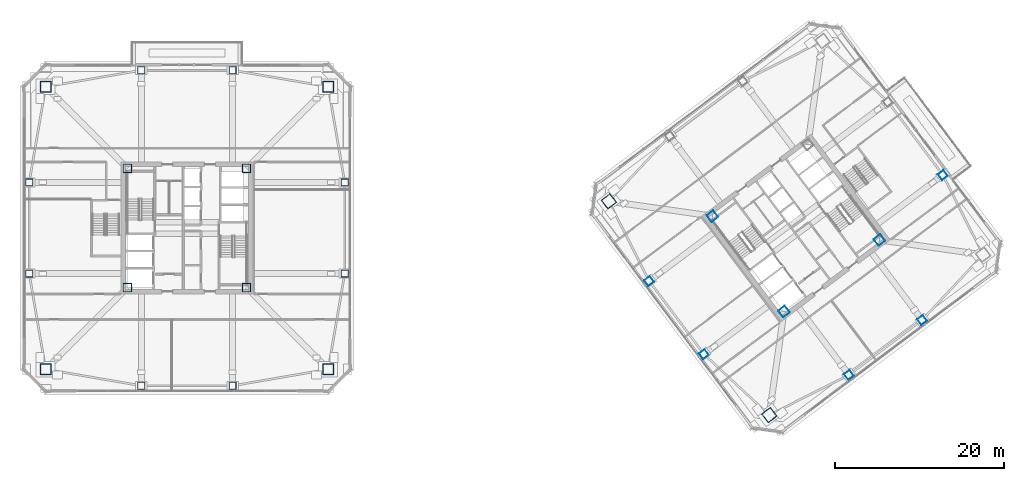
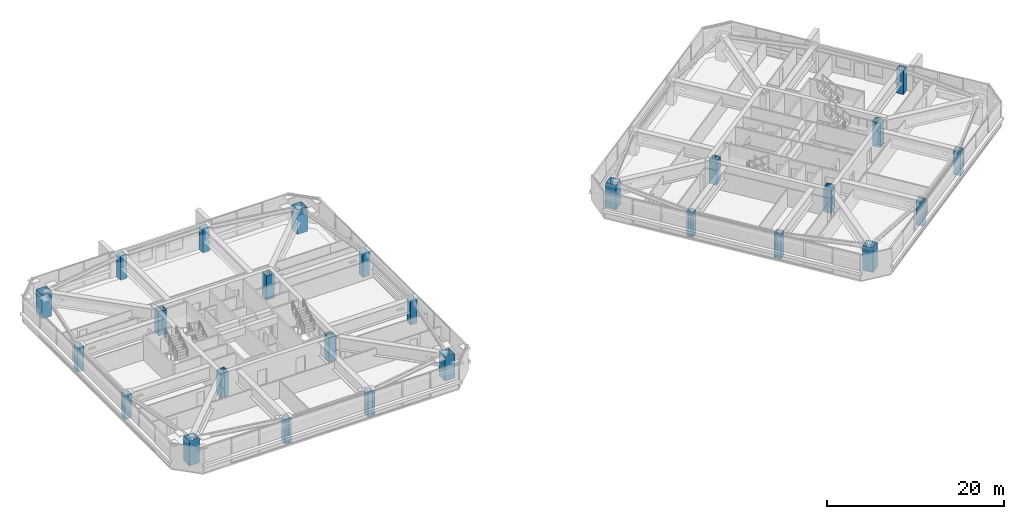
# One storey, part 1 of 42: 26 columns.
"""IFC4 building model written with IfcOpenShell, lengths in metres."""

from ifc_helpers import new_model, si_unit, direction, frame, origin, origin_2d, place, context, subcontext, project, spatial, hollow_rectangle, extrude, material, material_profile, profile_set, type_object, element, save


model = new_model("IFC4")

# Units and contexts
model_context = context("Model", 3, precision=1e-05, world=origin(), true_north=direction((0.0, 1.0)))
body_context = subcontext(model_context, "Body", "Model", "MODEL_VIEW")
ifc_project = project(units=[si_unit("LENGTHUNIT", "METRE"), si_unit("AREAUNIT", "SQUARE_METRE"), si_unit("VOLUMEUNIT", "CUBIC_METRE"), si_unit("PLANEANGLEUNIT", "RADIAN"), si_unit("MASSUNIT", "GRAM", prefix="KILO")], contexts=[model_context])

# Site, building, storey
site_placement = place(None, origin())
site = spatial("IfcSite", under=ifc_project, at=site_placement, CompositionType="ELEMENT")
building_placement = place(site_placement, origin())
building = spatial("IfcBuilding", under=site, at=building_placement, Name="Tashvorn Skyway Center", CompositionType="ELEMENT")
storey_placement = place(building_placement, frame((0.0, 0.0, 153.449951171875)))
storey = spatial("IfcBuildingStorey", under=building, at=storey_placement, Name="L41", CompositionType="ELEMENT", Elevation=153.449951171875)

# Columns
ifc_material = material(Name="Steel ASTM A572 Grade 50", Category="steel")
ifc_material_profile_1 = material_profile(ifc_material, hollow_rectangle(XDim=1.0, YDim=1.0, WallThickness=0.0400390625, at=origin_2d()), Name="BOX1000x1000x40")
ifc_profile_set_1 = profile_set([ifc_material_profile_1], Name="Steel ASTM A572 Grade 50")
column_type_1 = type_object("IfcColumnType", Name="COL-BOX1000x1000x40", PredefinedType="COLUMN", material=ifc_profile_set_1)
for number, where, z_axis, x_axis, name in (
    (1, (34.949951171875, 24.949951171875, 0.0), (0.0, 0.0, 1.0), (1.0, 0.0, 0.0), "Tower 1 L41 Core Corner Column CC-SW"),
    (2, (49.050048828125, 24.949951171875, 0.0), (0.0, 0.0, 1.0), (1.0, 0.0, 0.0), "Tower 1 L41 Core Corner Column CC-SE"),
    (3, (49.050048828125, 39.050048828125, 0.0), (0.0, 0.0, 1.0), (1.0, 0.0, 0.0), "Tower 1 L41 Core Corner Column CC-NE"),
    (4, (34.949951171875, 39.050048828125, 0.0), (0.0, 0.0, 1.0), (1.0, 0.0, 0.0), "Tower 1 L41 Core Corner Column CC-NW"),
    (5, (112.590087890625, 22.1298828125, 0.0), (0.0, 0.0, 1.0), (0.799999996291, 0.600000004945, 0.0), "Tower 2 L41 Core Corner Column CC-SW"),
    (6, (123.8701171875, 30.590087890625, 0.0), (0.0, 0.0, 1.0), (0.799999996291, 0.600000004945, 0.0), "Tower 2 L41 Core Corner Column CC-SE"),
    (7, (104.1298828125, 33.409912109375, 0.0), (0.0, 0.0, 1.0), (0.799999996291, 0.600000004945, 0.0), "Tower 2 L41 Core Corner Column CC-NW"),
):
    element("IfcColumn", number, at=place(storey_placement, frame(where, z_axis=z_axis, x_axis=x_axis)), inside=storey, type_object=column_type_1, Name=name, PredefinedType="COLUMN", context=body_context, shape_type="SweptSolid", body=[
        extrude(hollow_rectangle(XDim=1.0, YDim=1.0, WallThickness=0.0400390625, at=origin_2d()), origin(), (0.0, 0.0, 1.0), 3.3701171875),
    ])
ifc_material_profile_2 = material_profile(ifc_material, hollow_rectangle(XDim=1.300048828125, YDim=1.300048828125, WallThickness=0.050048828125, at=origin_2d()), Name="BOX1300x1300x50")
ifc_profile_set_2 = profile_set([ifc_material_profile_2], Name="Steel ASTM A572 Grade 50")
column_type_2 = type_object("IfcColumnType", Name="COL-BOX1300x1300x50", PredefinedType="COLUMN", material=ifc_profile_set_2)
for number, where, z_axis, x_axis, name in (
    (8, (25.300048828125, 15.300048828125, 0.0), (0.0, 0.0, 1.0), (1.0, 0.0, 0.0), "Tower 1 L41 Mega-Column MC-SW"),
    (9, (58.699951171875, 15.300048828125, 0.0), (0.0, 0.0, 1.0), (1.0, 0.0, 0.0), "Tower 1 L41 Mega-Column MC-SE"),
    (10, (58.699951171875, 48.699951171875, 0.0), (0.0, 0.0, 1.0), (1.0, 0.0, 0.0), "Tower 1 L41 Mega-Column MC-NE"),
    (11, (25.300048828125, 48.699951171875, 0.0), (0.0, 0.0, 1.0), (1.0, 0.0, 0.0), "Tower 1 L41 Mega-Column MC-NW"),
    (12, (110.840087890625, 9.8798828125, 0.0), (0.0, 0.0, 1.0), (0.799999996291, 0.600000004945, 0.0), "Tower 2 L41 Mega-Column MC-SW"),
    (13, (91.8798828125, 35.159912109375, 0.0), (0.0, 0.0, 1.0), (0.799999996291, 0.600000004945, 0.0), "Tower 2 L41 Mega-Column MC-NW"),
):
    element("IfcColumn", number, at=place(storey_placement, frame(where, z_axis=z_axis, x_axis=x_axis)), inside=storey, type_object=column_type_2, Name=name, PredefinedType="COLUMN", context=body_context, shape_type="SweptSolid", body=[
        extrude(hollow_rectangle(XDim=1.300048828125, YDim=1.300048828125, WallThickness=0.050048828125, at=origin_2d()), origin(), (0.0, 0.0, 1.0), 3.3701171875),
    ])
ifc_material_profile_3 = material_profile(ifc_material, hollow_rectangle(XDim=0.85009765625, YDim=0.85009765625, WallThickness=0.034912109375, at=origin_2d()), Name="BOX850x850x35")
ifc_profile_set_3 = profile_set([ifc_material_profile_3], Name="Steel ASTM A572 Grade 50")
column_type_3 = type_object("IfcColumnType", Name="COL-BOX850x850x35", PredefinedType="COLUMN", material=ifc_profile_set_3)
for number, where, z_axis, x_axis, name in (
    (14, (36.60009765625, 13.35009765625, 0.0), (0.0, 0.0, 1.0), (1.0, 0.0, 0.0), "Tower 1 L41 Perimeter Column FC-S1"),
    (15, (47.39990234375, 13.35009765625, 0.0), (0.0, 0.0, 1.0), (1.0, 0.0, 0.0), "Tower 1 L41 Perimeter Column FC-S2"),
    (16, (60.64990234375, 26.60009765625, 0.0), (0.0, 0.0, 1.0), (1.0, 0.0, 0.0), "Tower 1 L41 Perimeter Column FC-E1"),
    (17, (60.64990234375, 37.39990234375, 0.0), (0.0, 0.0, 1.0), (1.0, 0.0, 0.0), "Tower 1 L41 Perimeter Column FC-E2"),
    (18, (47.39990234375, 50.64990234375, 0.0), (0.0, 0.0, 1.0), (1.0, 0.0, 0.0), "Tower 1 L41 Perimeter Column FC-N1"),
    (19, (36.60009765625, 50.64990234375, 0.0), (0.0, 0.0, 1.0), (1.0, 0.0, 0.0), "Tower 1 L41 Perimeter Column FC-N2"),
    (20, (23.35009765625, 37.39990234375, 0.0), (0.0, 0.0, 1.0), (1.0, 0.0, 0.0), "Tower 1 L41 Perimeter Column FC-W1"),
    (21, (23.35009765625, 26.60009765625, 0.0), (0.0, 0.0, 1.0), (1.0, 0.0, 0.0), "Tower 1 L41 Perimeter Column FC-W2"),
    (22, (120.27001953125, 14.639892578125, 0.0), (0.0, 0.0, 1.0), (0.799999996291, 0.600000004945, 0.0), "Tower 2 L41 Perimeter Column FC-S1"),
    (23, (128.909912109375, 21.1201171875, 0.0), (0.0, 0.0, 1.0), (0.799999996291, 0.600000004945, 0.0), "Tower 2 L41 Perimeter Column FC-S2"),
    (24, (131.360107421875, 38.27001953125, 0.0), (0.0, 0.0, 1.0), (0.799999996291, 0.600000004945, 0.0), "Tower 2 L41 Perimeter Column FC-E1"),
    (25, (96.639892578125, 25.72998046875, 0.0), (0.0, 0.0, 1.0), (0.799999996291, 0.600000004945, 0.0), "Tower 2 L41 Perimeter Column FC-W1"),
    (26, (103.1201171875, 17.090087890625, 0.0), (0.0, 0.0, 1.0), (0.799999996291, 0.600000004945, 0.0), "Tower 2 L41 Perimeter Column FC-W2"),
):
    element("IfcColumn", number, at=place(storey_placement, frame(where, z_axis=z_axis, x_axis=x_axis)), inside=storey, type_object=column_type_3, Name=name, PredefinedType="COLUMN", context=body_context, shape_type="SweptSolid", body=[
        extrude(hollow_rectangle(XDim=0.85009765625, YDim=0.85009765625, WallThickness=0.034912109375, at=origin_2d()), origin(), (0.0, 0.0, 1.0), 3.3701171875),
    ])

save(model, "model.ifc")
